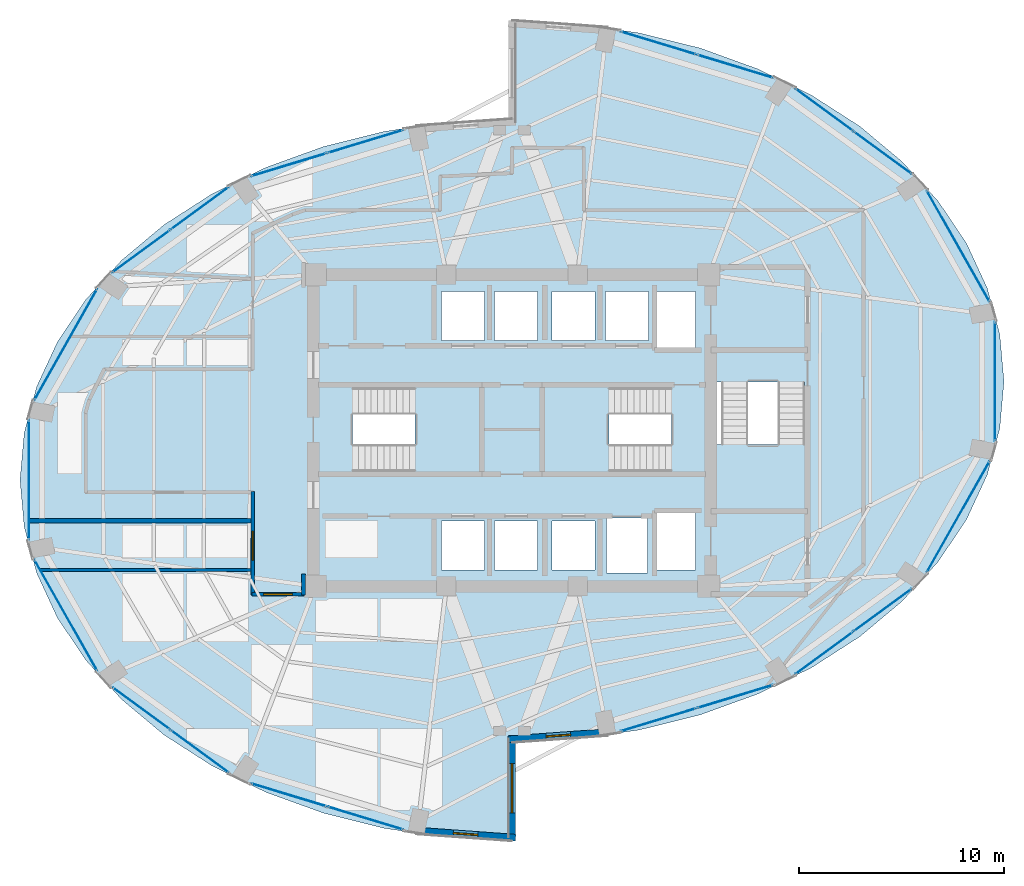
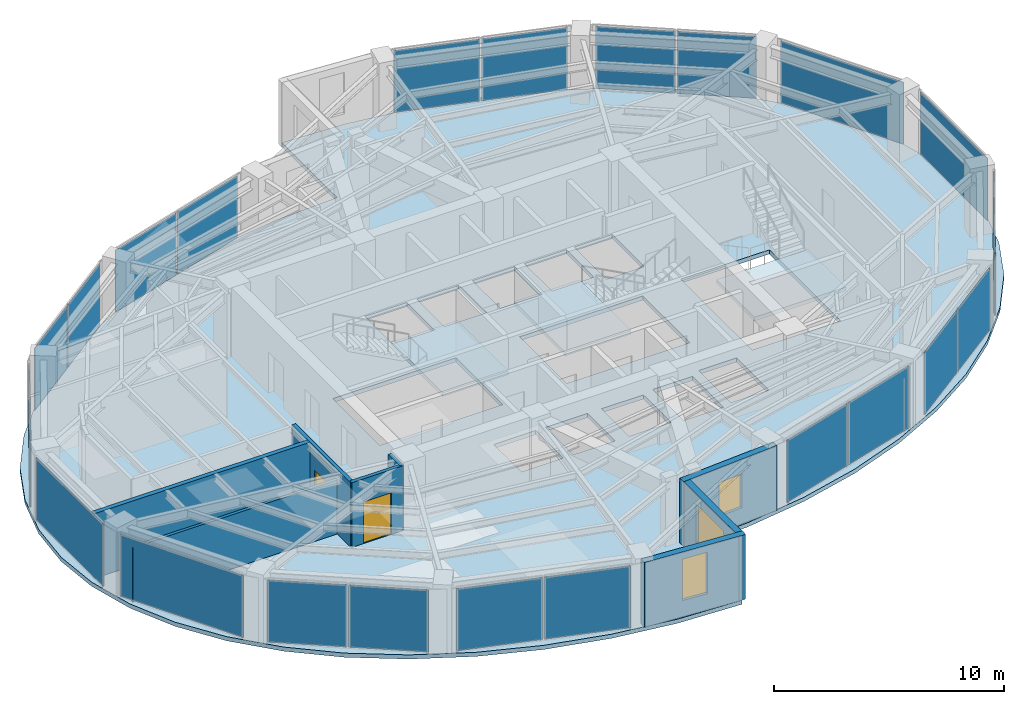
# One storey, part 15 of 20: 22 plates, 8 walls, 4 slabs, 3 windows, 2 doors, 5 openings, 17 elements without a shape of their own.
"""IFC4 building model written with IfcOpenShell, lengths in metres."""

from ifc_helpers import new_model, si_unit, direction, frame, frame_2d, origin, origin_2d, place, context, subcontext, project, spatial, polyline, rectangle, outline, extrude, material, layer, layer_set, type_object, element, fill, aggregate, save


model = new_model("IFC4")

# Units and contexts
model_context = context("Model", 3, precision=1e-05, world=origin(), true_north=direction((0.0, 1.0)))
body_context = subcontext(model_context, "Body", "Model", "MODEL_VIEW")
ifc_project = project(units=[si_unit("LENGTHUNIT", "METRE"), si_unit("AREAUNIT", "SQUARE_METRE"), si_unit("VOLUMEUNIT", "CUBIC_METRE"), si_unit("PLANEANGLEUNIT", "RADIAN"), si_unit("MASSUNIT", "GRAM", prefix="KILO")], contexts=[model_context])

# Site, building, storey
site_placement = place(None, origin())
site = spatial("IfcSite", under=ifc_project, at=site_placement, CompositionType="ELEMENT")
building_placement = place(site_placement, origin())
building = spatial("IfcBuilding", under=site, at=building_placement, Name="Lazwardi Medical Tower", CompositionType="ELEMENT")
storey_placement = place(building_placement, frame((0.0, 0.0, 178.416015625)))
storey = spatial("IfcBuildingStorey", under=building, at=storey_placement, Name="L46", CompositionType="ELEMENT", Elevation=178.416015625)

# Curtain wall, plates
ifc_material_1 = material(Name="Anodised bronze aluminium and solar control glazing", Category="aluminium")
ifc_layer_1 = layer(ifc_material_1, 0.195068359375)
ifc_layer_set_1 = layer_set([ifc_layer_1], Name="Anodised bronze aluminium and solar control glazing")
curtain_wall_type = type_object("IfcCurtainWallType", Name="CW-SYS-03", PredefinedType="NOTDEFINED", material=ifc_layer_set_1)
curtain_wall_1_placement = place(storey_placement, origin())
curtain_wall_1 = element("IfcCurtainWall", 1, at=curtain_wall_1_placement, inside=storey, type_object=curtain_wall_type, Name="L46 Unitised bronze curtain wall CW-03", PredefinedType="NOTDEFINED")
ifc_material_2 = material(Name="Low-e bronze solar control double glazing", Category="glass")
ifc_layer_2 = layer(ifc_material_2, 0.035888671875)
ifc_layer_set_2 = layer_set([ifc_layer_2], Name="Low-e bronze solar control double glazing")
plate_type = type_object("IfcPlateType", Name="PLT-GLZ-01", PredefinedType="CURTAIN_PANEL", material=ifc_layer_set_2)
plate_1_placement = place(storey_placement, frame((43.1435546875, 13.8935546875, 0.07470703125), z_axis=(0.0, 0.0, 1.0), x_axis=(0.956941516292, 0.290280785441, 0.0)))
plate_1 = element("IfcPlate", 2, at=plate_1_placement, type_object=plate_type, Name="CW-03 panel 1.1", PredefinedType="CURTAIN_PANEL", context=body_context, shape_type="SweptSolid", body=[
    extrude(rectangle(XDim=3.83642578125, YDim=0.035888671875, at=origin_2d()), origin(), (0.0, 0.0, 1.0), 3.278076171875),
])
plate_2_placement = place(storey_placement, frame((46.88671875, 15.029052734375, 0.07470703125), z_axis=(0.0, 0.0, 1.0), x_axis=(0.956941516292, 0.290280785441, 0.0)))
plate_2 = element("IfcPlate", 3, at=plate_2_placement, type_object=plate_type, Name="CW-03 panel 2.1", PredefinedType="CURTAIN_PANEL", context=body_context, shape_type="SweptSolid", body=[
    extrude(rectangle(XDim=3.83642578125, YDim=0.035888671875, at=origin_2d()), origin(), (0.0, 0.0, 1.0), 3.278076171875),
])
aggregate(curtain_wall_1, [plate_1, plate_2])

curtain_wall_2_placement = place(storey_placement, origin())
curtain_wall_2 = element("IfcCurtainWall", 4, at=curtain_wall_2_placement, inside=storey, type_object=curtain_wall_type, Name="L46 Unitised bronze curtain wall CW-03", PredefinedType="NOTDEFINED")
plate_3_placement = place(storey_placement, frame((51.2265625, 17.153076171875, 0.07470703125), z_axis=(0.0, 0.0, 1.0), x_axis=(0.806793249082, 0.590833862635, 0.0)))
plate_3 = element("IfcPlate", 5, at=plate_3_placement, type_object=plate_type, Name="CW-03 panel 1.1", PredefinedType="CURTAIN_PANEL", context=body_context, shape_type="SweptSolid", body=[
    extrude(rectangle(XDim=3.472412109375, YDim=0.035888671875, at=origin_2d()), origin(), (0.0, 0.0, 1.0), 3.278076171875),
])
plate_4_placement = place(storey_placement, frame((54.088623046875, 19.2490234375, 0.07470703125), z_axis=(0.0, 0.0, 1.0), x_axis=(0.806793249082, 0.590833862635, 0.0)))
plate_4 = element("IfcPlate", 6, at=plate_4_placement, type_object=plate_type, Name="CW-03 panel 2.1", PredefinedType="CURTAIN_PANEL", context=body_context, shape_type="SweptSolid", body=[
    extrude(rectangle(XDim=3.472412109375, YDim=0.035888671875, at=origin_2d()), origin(), (0.0, 0.0, 1.0), 3.278076171875),
])
aggregate(curtain_wall_2, [plate_3, plate_4])

# Curtain wall, plate
curtain_wall_3_placement = place(storey_placement, origin())
curtain_wall_3 = element("IfcCurtainWall", 7, at=curtain_wall_3_placement, inside=storey, type_object=curtain_wall_type, Name="L46 Unitised bronze curtain wall CW-03", PredefinedType="NOTDEFINED")
plate_5_placement = place(storey_placement, frame((57.764404296875, 23.798095703125, 0.07470703125), z_axis=(0.0, 0.0, 1.0), x_axis=(0.492311672683, 0.870418989303, 0.0)))
plate_5 = element("IfcPlate", 8, at=plate_5_placement, type_object=plate_type, Name="CW-03 panel 1.1", PredefinedType="CURTAIN_PANEL", context=body_context, shape_type="SweptSolid", body=[
    extrude(rectangle(XDim=6.208740234375, YDim=0.035888671875, at=origin_2d()), origin(), (0.0, 0.0, 1.0), 3.278076171875),
])
aggregate(curtain_wall_3, [plate_5])

curtain_wall_4_placement = place(storey_placement, origin())
curtain_wall_4 = element("IfcCurtainWall", 9, at=curtain_wall_4_placement, inside=storey, type_object=curtain_wall_type, Name="L46 Unitised bronze curtain wall CW-03", PredefinedType="NOTDEFINED")
plate_6_placement = place(storey_placement, frame((59.5576171875, 30.39990234375, 0.07470703125), z_axis=(0.0, 0.0, 1.0), x_axis=(0.0, 1.0, 0.0)))
plate_6 = element("IfcPlate", 10, at=plate_6_placement, type_object=plate_type, Name="CW-03 panel 1.1", PredefinedType="CURTAIN_PANEL", context=body_context, shape_type="SweptSolid", body=[
    extrude(rectangle(XDim=5.8408203125, YDim=0.035888671875, at=origin_2d()), origin(), (0.0, 0.0, 1.0), 3.278076171875),
])
aggregate(curtain_wall_4, [plate_6])

curtain_wall_5_placement = place(storey_placement, origin())
curtain_wall_5 = element("IfcCurtainWall", 11, at=curtain_wall_5_placement, inside=storey, type_object=curtain_wall_type, Name="L46 Unitised bronze curtain wall CW-03", PredefinedType="NOTDEFINED")
plate_7_placement = place(storey_placement, frame((57.764404296875, 37.001953125, 0.07470703125), z_axis=(0.0, 0.0, 1.0), x_axis=(-0.492311672683, 0.870418989303, 0.0)))
plate_7 = element("IfcPlate", 12, at=plate_7_placement, type_object=plate_type, Name="CW-03 panel 1.1", PredefinedType="CURTAIN_PANEL", context=body_context, shape_type="SweptSolid", body=[
    extrude(rectangle(XDim=6.208740234375, YDim=0.035888671875, at=origin_2d()), origin(), (0.0, 0.0, 1.0), 3.278076171875),
])
aggregate(curtain_wall_5, [plate_7])

# Curtain wall, plates
curtain_wall_6_placement = place(storey_placement, origin())
curtain_wall_6 = element("IfcCurtainWall", 13, at=curtain_wall_6_placement, inside=storey, type_object=curtain_wall_type, Name="L46 Unitised bronze curtain wall CW-03", PredefinedType="NOTDEFINED")
plate_8_placement = place(storey_placement, frame((54.088623046875, 41.551025390625, 0.07470703125), z_axis=(0.0, 0.0, 1.0), x_axis=(-0.806793249082, 0.590833862635, 0.0)))
plate_8 = element("IfcPlate", 14, at=plate_8_placement, type_object=plate_type, Name="CW-03 panel 1.1", PredefinedType="CURTAIN_PANEL", context=body_context, shape_type="SweptSolid", body=[
    extrude(rectangle(XDim=3.472412109375, YDim=0.035888671875, at=origin_2d()), origin(), (0.0, 0.0, 1.0), 3.278076171875),
])
plate_9_placement = place(storey_placement, frame((51.2265625, 43.64697265625, 0.07470703125), z_axis=(0.0, 0.0, 1.0), x_axis=(-0.806793249082, 0.590833862635, 0.0)))
plate_9 = element("IfcPlate", 15, at=plate_9_placement, type_object=plate_type, Name="CW-03 panel 2.1", PredefinedType="CURTAIN_PANEL", context=body_context, shape_type="SweptSolid", body=[
    extrude(rectangle(XDim=3.472412109375, YDim=0.035888671875, at=origin_2d()), origin(), (0.0, 0.0, 1.0), 3.278076171875),
])
aggregate(curtain_wall_6, [plate_8, plate_9])

curtain_wall_7_placement = place(storey_placement, origin())
curtain_wall_7 = element("IfcCurtainWall", 16, at=curtain_wall_7_placement, inside=storey, type_object=curtain_wall_type, Name="L46 Unitised bronze curtain wall CW-03", PredefinedType="NOTDEFINED")
plate_10_placement = place(storey_placement, frame((46.88671875, 45.77099609375, 0.07470703125), z_axis=(0.0, 0.0, 1.0), x_axis=(-0.956941516292, 0.290280785441, 0.0)))
plate_10 = element("IfcPlate", 17, at=plate_10_placement, type_object=plate_type, Name="CW-03 panel 1.1", PredefinedType="CURTAIN_PANEL", context=body_context, shape_type="SweptSolid", body=[
    extrude(rectangle(XDim=3.83642578125, YDim=0.035888671875, at=origin_2d()), origin(), (0.0, 0.0, 1.0), 3.278076171875),
])
plate_11_placement = place(storey_placement, frame((43.1435546875, 46.906494140625, 0.07470703125), z_axis=(0.0, 0.0, 1.0), x_axis=(-0.956941516292, 0.290280785441, 0.0)))
plate_11 = element("IfcPlate", 18, at=plate_11_placement, type_object=plate_type, Name="CW-03 panel 2.1", PredefinedType="CURTAIN_PANEL", context=body_context, shape_type="SweptSolid", body=[
    extrude(rectangle(XDim=3.83642578125, YDim=0.035888671875, at=origin_2d()), origin(), (0.0, 0.0, 1.0), 3.278076171875),
])
aggregate(curtain_wall_7, [plate_10, plate_11])

curtain_wall_8_placement = place(storey_placement, origin())
curtain_wall_8 = element("IfcCurtainWall", 19, at=curtain_wall_8_placement, inside=storey, type_object=curtain_wall_type, Name="L46 Unitised bronze curtain wall CW-03", PredefinedType="NOTDEFINED")
plate_12_placement = place(storey_placement, frame((28.8564453125, 42.1064453125, 0.07470703125), z_axis=(0.0, 0.0, 1.0), x_axis=(-0.956941516292, -0.290280785441, 0.0)))
plate_12 = element("IfcPlate", 20, at=plate_12_placement, type_object=plate_type, Name="CW-03 panel 1.1", PredefinedType="CURTAIN_PANEL", context=body_context, shape_type="SweptSolid", body=[
    extrude(rectangle(XDim=3.83642578125, YDim=0.035888671875, at=origin_2d()), origin(), (0.0, 0.0, 1.0), 3.278076171875),
])
plate_13_placement = place(storey_placement, frame((25.11328125, 40.970947265625, 0.07470703125), z_axis=(0.0, 0.0, 1.0), x_axis=(-0.956941516292, -0.290280785441, 0.0)))
plate_13 = element("IfcPlate", 21, at=plate_13_placement, type_object=plate_type, Name="CW-03 panel 2.1", PredefinedType="CURTAIN_PANEL", context=body_context, shape_type="SweptSolid", body=[
    extrude(rectangle(XDim=3.83642578125, YDim=0.035888671875, at=origin_2d()), origin(), (0.0, 0.0, 1.0), 3.278076171875),
])
aggregate(curtain_wall_8, [plate_12, plate_13])

curtain_wall_9_placement = place(storey_placement, origin())
curtain_wall_9 = element("IfcCurtainWall", 22, at=curtain_wall_9_placement, inside=storey, type_object=curtain_wall_type, Name="L46 Unitised bronze curtain wall CW-03", PredefinedType="NOTDEFINED")
plate_14_placement = place(storey_placement, frame((20.7734375, 38.846923828125, 0.07470703125), z_axis=(0.0, 0.0, 1.0), x_axis=(-0.806793249082, -0.590833862635, 0.0)))
plate_14 = element("IfcPlate", 23, at=plate_14_placement, type_object=plate_type, Name="CW-03 panel 1.1", PredefinedType="CURTAIN_PANEL", context=body_context, shape_type="SweptSolid", body=[
    extrude(rectangle(XDim=3.472412109375, YDim=0.035888671875, at=origin_2d()), origin(), (0.0, 0.0, 1.0), 3.278076171875),
])
plate_15_placement = place(storey_placement, frame((17.911376953125, 36.7509765625, 0.07470703125), z_axis=(0.0, 0.0, 1.0), x_axis=(-0.806793249082, -0.590833862635, 0.0)))
plate_15 = element("IfcPlate", 24, at=plate_15_placement, type_object=plate_type, Name="CW-03 panel 2.1", PredefinedType="CURTAIN_PANEL", context=body_context, shape_type="SweptSolid", body=[
    extrude(rectangle(XDim=3.472412109375, YDim=0.035888671875, at=origin_2d()), origin(), (0.0, 0.0, 1.0), 3.278076171875),
])
aggregate(curtain_wall_9, [plate_14, plate_15])

# Curtain wall, plate
curtain_wall_10_placement = place(storey_placement, origin())
curtain_wall_10 = element("IfcCurtainWall", 25, at=curtain_wall_10_placement, inside=storey, type_object=curtain_wall_type, Name="L46 Unitised bronze curtain wall CW-03", PredefinedType="NOTDEFINED")
plate_16_placement = place(storey_placement, frame((14.235595703125, 32.201904296875, 0.07470703125), z_axis=(0.0, 0.0, 1.0), x_axis=(-0.492311672683, -0.870418989303, 0.0)))
plate_16 = element("IfcPlate", 26, at=plate_16_placement, type_object=plate_type, Name="CW-03 panel 1.1", PredefinedType="CURTAIN_PANEL", context=body_context, shape_type="SweptSolid", body=[
    extrude(rectangle(XDim=6.208740234375, YDim=0.035888671875, at=origin_2d()), origin(), (0.0, 0.0, 1.0), 3.278076171875),
])
aggregate(curtain_wall_10, [plate_16])

curtain_wall_11_placement = place(storey_placement, origin())
curtain_wall_11 = element("IfcCurtainWall", 27, at=curtain_wall_11_placement, inside=storey, type_object=curtain_wall_type, Name="L46 Unitised bronze curtain wall CW-03", PredefinedType="NOTDEFINED")
plate_17_placement = place(storey_placement, frame((12.4423828125, 25.60009765625, 0.07470703125), z_axis=(0.0, 0.0, 1.0), x_axis=(0.0, -1.0, 0.0)))
plate_17 = element("IfcPlate", 28, at=plate_17_placement, type_object=plate_type, Name="CW-03 panel 1.1", PredefinedType="CURTAIN_PANEL", context=body_context, shape_type="SweptSolid", body=[
    extrude(rectangle(XDim=5.8408203125, YDim=0.035888671875, at=origin_2d()), origin(), (0.0, 0.0, 1.0), 3.278076171875),
])
aggregate(curtain_wall_11, [plate_17])

curtain_wall_12_placement = place(storey_placement, origin())
curtain_wall_12 = element("IfcCurtainWall", 29, at=curtain_wall_12_placement, inside=storey, type_object=curtain_wall_type, Name="L46 Unitised bronze curtain wall CW-03", PredefinedType="NOTDEFINED")
plate_18_placement = place(storey_placement, frame((14.235595703125, 18.998046875, 0.07470703125), z_axis=(0.0, 0.0, 1.0), x_axis=(0.492311672683, -0.870418989303, 0.0)))
plate_18 = element("IfcPlate", 30, at=plate_18_placement, type_object=plate_type, Name="CW-03 panel 1.1", PredefinedType="CURTAIN_PANEL", context=body_context, shape_type="SweptSolid", body=[
    extrude(rectangle(XDim=6.208740234375, YDim=0.035888671875, at=origin_2d()), origin(), (0.0, 0.0, 1.0), 3.278076171875),
])
aggregate(curtain_wall_12, [plate_18])

# Curtain wall, plates
curtain_wall_13_placement = place(storey_placement, origin())
curtain_wall_13 = element("IfcCurtainWall", 31, at=curtain_wall_13_placement, inside=storey, type_object=curtain_wall_type, Name="L46 Unitised bronze curtain wall CW-03", PredefinedType="NOTDEFINED")
plate_19_placement = place(storey_placement, frame((17.911376953125, 14.448974609375, 0.07470703125), z_axis=(0.0, 0.0, 1.0), x_axis=(0.806793249082, -0.590833862635, 0.0)))
plate_19 = element("IfcPlate", 32, at=plate_19_placement, type_object=plate_type, Name="CW-03 panel 1.1", PredefinedType="CURTAIN_PANEL", context=body_context, shape_type="SweptSolid", body=[
    extrude(rectangle(XDim=3.472412109375, YDim=0.035888671875, at=origin_2d()), origin(), (0.0, 0.0, 1.0), 3.278076171875),
])
plate_20_placement = place(storey_placement, frame((20.7734375, 12.35302734375, 0.07470703125), z_axis=(0.0, 0.0, 1.0), x_axis=(0.806793249082, -0.590833862635, 0.0)))
plate_20 = element("IfcPlate", 33, at=plate_20_placement, type_object=plate_type, Name="CW-03 panel 2.1", PredefinedType="CURTAIN_PANEL", context=body_context, shape_type="SweptSolid", body=[
    extrude(rectangle(XDim=3.472412109375, YDim=0.035888671875, at=origin_2d()), origin(), (0.0, 0.0, 1.0), 3.278076171875),
])
aggregate(curtain_wall_13, [plate_19, plate_20])

curtain_wall_14_placement = place(storey_placement, origin())
curtain_wall_14 = element("IfcCurtainWall", 34, at=curtain_wall_14_placement, inside=storey, type_object=curtain_wall_type, Name="L46 Unitised bronze curtain wall CW-03", PredefinedType="NOTDEFINED")
plate_21_placement = place(storey_placement, frame((25.11328125, 10.22900390625, 0.07470703125), z_axis=(0.0, 0.0, 1.0), x_axis=(0.956941516292, -0.290280785441, 0.0)))
plate_21 = element("IfcPlate", 35, at=plate_21_placement, type_object=plate_type, Name="CW-03 panel 1.1", PredefinedType="CURTAIN_PANEL", context=body_context, shape_type="SweptSolid", body=[
    extrude(rectangle(XDim=3.83642578125, YDim=0.035888671875, at=origin_2d()), origin(), (0.0, 0.0, 1.0), 3.278076171875),
])
plate_22_placement = place(storey_placement, frame((28.8564453125, 9.093505859375, 0.07470703125), z_axis=(0.0, 0.0, 1.0), x_axis=(0.956941516292, -0.290280785441, 0.0)))
plate_22 = element("IfcPlate", 36, at=plate_22_placement, type_object=plate_type, Name="CW-03 panel 2.1", PredefinedType="CURTAIN_PANEL", context=body_context, shape_type="SweptSolid", body=[
    extrude(rectangle(XDim=3.83642578125, YDim=0.035888671875, at=origin_2d()), origin(), (0.0, 0.0, 1.0), 3.278076171875),
])
aggregate(curtain_wall_14, [plate_21, plate_22])

# Stair, slab
ifc_material_3 = material(Name="Concrete C45/55", Category="concrete")
stair_type = type_object("IfcStairType", Name="STR-WRD", PredefinedType="HALF_TURN_STAIR", material=ifc_material_3)
stair_1_placement = place(storey_placement, origin())
stair_1 = element("IfcStair", 37, at=stair_1_placement, inside=storey, type_object=stair_type, Name="L46 Protected Exit Stair ST1", PredefinedType="HALF_TURN_STAIR")
ifc_layer_3 = layer(ifc_material_3, 0.199951171875)
ifc_layer_set_3 = layer_set([ifc_layer_3], Name="Concrete C45/55")
slab_type_1 = type_object("IfcSlabType", Name="SLB-LND-190", PredefinedType="LANDING", material=ifc_layer_set_3)
slab_1_placement = place(storey_placement, frame((0.0, 0.0, 1.6240234375)))
slab_1 = element("IfcSlab", 38, at=slab_1_placement, type_object=slab_type_1, Name="ST1 landing 1", PredefinedType="LANDING", context=body_context, shape_type="SweptSolid", body=[
    extrude(outline(polyline([(31.27490234375, 25.840087890625), (34.580078125, 25.840087890625), (34.580078125, 30.280029296875), (31.27490234375, 30.280029296875), (31.27490234375, 25.840087890625)])), origin(), (0.0, 0.0, 1.0), 0.199951171875),
])
aggregate(stair_1, [slab_1])

stair_2_placement = place(storey_placement, origin())
stair_2 = element("IfcStair", 39, at=stair_2_placement, inside=storey, type_object=stair_type, Name="L46 Protected Exit Stair ST2", PredefinedType="HALF_TURN_STAIR")
slab_2_placement = place(storey_placement, frame((0.0, 0.0, 1.6240234375)))
slab_2 = element("IfcSlab", 40, at=slab_2_placement, type_object=slab_type_1, Name="ST2 landing 1", PredefinedType="LANDING", context=body_context, shape_type="SweptSolid", body=[
    extrude(outline(polyline([(40.72509765625, 30.280029296875), (37.419921875, 30.280029296875), (37.419921875, 25.840087890625), (40.72509765625, 25.840087890625), (40.72509765625, 30.280029296875)])), origin(), (0.0, 0.0, 1.0), 0.199951171875),
])
aggregate(stair_2, [slab_2])

stair_3_placement = place(storey_placement, origin())
stair_3 = element("IfcStair", 41, at=stair_3_placement, inside=storey, type_object=stair_type, Name="L46 Protected Exit Stair ST3", PredefinedType="HALF_TURN_STAIR")
slab_3_placement = place(storey_placement, frame((0.0, 0.0, 1.6240234375)))
slab_3 = element("IfcSlab", 42, at=slab_3_placement, type_object=slab_type_1, Name="ST3 landing 1", PredefinedType="LANDING", context=body_context, shape_type="SweptSolid", body=[
    extrude(outline(polyline([(45.860107421875, 27.324951171875), (45.860107421875, 24.02001953125), (50.4599609375, 24.02001953125), (50.4599609375, 27.324951171875), (45.860107421875, 27.324951171875)])), origin(), (0.0, 0.0, 1.0), 0.199951171875),
])
aggregate(stair_3, [slab_3])

# Slab
ifc_material_4 = material(Name="Concrete C50/60", Category="concrete")
ifc_layer_4 = layer(ifc_material_4, 0.219970703125)
ifc_layer_set_4 = layer_set([ifc_layer_4], Name="Concrete C50/60")
slab_type_2 = type_object("IfcSlabType", Name="SLB-WRD-220", PredefinedType="FLOOR", material=ifc_layer_set_4)
slab_4_placement = place(storey_placement, frame((0.0, 0.0, -0.219970703125)))
element("IfcSlab", 43, at=slab_4_placement, inside=storey, type_object=slab_type_2, Name="Structural floor slab SF-03 L46", PredefinedType="FLOOR", context=body_context, shape_type="SweptSolid", body=[
    extrude(outline(polyline([(12.205322265625, 23.302734375), (12.81787109375, 21.044921875), (13.826904296875, 18.86474609375), (15.21533203125, 16.800048828125), (16.95947265625, 14.8857421875), (19.029296875, 13.15478515625), (21.3896484375, 11.636962890625), (24.0, 10.35791015625), (26.815673828125, 9.339599609375), (29.788330078125, 8.599609375), (32.867431640625, 8.150634765625), (36.0, 8.0), (36.0, 12.800048828125), (39.132568359375, 12.95068359375), (42.211669921875, 13.399658203125), (45.184326171875, 14.1396484375), (48.0, 15.157958984375), (50.6103515625, 16.43701171875), (52.970703125, 17.954833984375), (55.04052734375, 19.685791015625), (56.78466796875, 21.60009765625), (58.173095703125, 23.664794921875), (59.18212890625, 25.8447265625), (59.794677734375, 28.102783203125), (60.0, 30.39990234375), (59.794677734375, 32.697265625), (59.18212890625, 34.955078125), (58.173095703125, 37.13525390625), (56.78466796875, 39.199951171875), (55.04052734375, 41.1142578125), (52.970703125, 42.84521484375), (50.6103515625, 44.363037109375), (48.0, 45.64208984375), (45.184326171875, 46.660400390625), (42.211669921875, 47.400390625), (39.132568359375, 47.849365234375), (36.0, 48.0), (36.0, 43.199951171875), (32.867431640625, 43.04931640625), (29.788330078125, 42.600341796875), (26.815673828125, 41.8603515625), (24.0, 40.842041015625), (21.3896484375, 39.56298828125), (19.029296875, 38.045166015625), (16.95947265625, 36.314208984375), (15.21533203125, 34.39990234375), (13.826904296875, 32.335205078125), (12.81787109375, 30.1552734375), (12.205322265625, 27.897216796875), (12.0, 25.60009765625), (12.205322265625, 23.302734375)]), holes=[polyline([(28.22509765625, 26.02001953125), (28.22509765625, 30.10009765625), (34.39990234375, 30.10009765625), (34.39990234375, 26.02001953125), (28.22509765625, 26.02001953125)]), polyline([(37.60009765625, 30.10009765625), (43.77490234375, 30.10009765625), (43.77490234375, 26.02001953125), (37.60009765625, 26.02001953125), (37.60009765625, 30.10009765625)]), polyline([(50.280029296875, 30.375), (50.280029296875, 24.179931640625), (45.840087890625, 24.179931640625), (45.840087890625, 30.375), (50.280029296875, 30.375)]), polyline([(34.64990234375, 32.39990234375), (32.550048828125, 32.39990234375), (32.550048828125, 34.800048828125), (34.64990234375, 34.800048828125), (34.64990234375, 32.39990234375)]), polyline([(35.14990234375, 32.39990234375), (35.14990234375, 34.800048828125), (37.25, 34.800048828125), (37.25, 32.39990234375), (35.14990234375, 32.39990234375)]), polyline([(32.550048828125, 23.60009765625), (34.64990234375, 23.60009765625), (34.64990234375, 21.199951171875), (32.550048828125, 21.199951171875), (32.550048828125, 23.60009765625)]), polyline([(37.25, 23.60009765625), (37.25, 21.199951171875), (35.14990234375, 21.199951171875), (35.14990234375, 23.60009765625), (37.25, 23.60009765625)]), polyline([(40.050048828125, 32.39990234375), (37.949951171875, 32.39990234375), (37.949951171875, 34.800048828125), (40.050048828125, 34.800048828125), (40.050048828125, 32.39990234375)]), polyline([(40.550048828125, 32.39990234375), (40.550048828125, 34.800048828125), (42.64990234375, 34.800048828125), (42.64990234375, 32.39990234375), (40.550048828125, 32.39990234375)]), polyline([(37.949951171875, 23.60009765625), (40.050048828125, 23.60009765625), (40.050048828125, 21.199951171875), (37.949951171875, 21.199951171875), (37.949951171875, 23.60009765625)]), polyline([(44.949951171875, 34.800048828125), (44.949951171875, 32.0), (43.050048828125, 32.0), (43.050048828125, 34.800048828125), (44.949951171875, 34.800048828125)]), polyline([(44.949951171875, 21.199951171875), (43.050048828125, 21.199951171875), (43.050048828125, 24.0), (44.949951171875, 24.0), (44.949951171875, 21.199951171875)]), polyline([(40.60009765625, 21.050048828125), (40.60009765625, 23.75), (42.60009765625, 23.75), (42.60009765625, 21.050048828125), (40.60009765625, 21.050048828125)])]), origin(), (0.0, 0.0, 1.0), 0.219970703125),
])

# Wall
ifc_material_5 = material(Name="Fire-rated gypsum board on steel stud", Category="steel")
ifc_layer_5 = layer(ifc_material_5, 0.179931640625)
ifc_layer_set_5 = layer_set([ifc_layer_5], Name="Fire-rated gypsum board on steel stud")
wall_type_1 = type_object("IfcWallType", Name="WL-COR-180", PredefinedType="PARTITIONING", material=ifc_layer_set_5)
wall_1_placement = place(storey_placement, frame((25.830078125, 21.010009765625, 0.0), z_axis=(0.0, 0.0, 1.0), x_axis=(0.0, -1.0, 0.0)))
element("IfcWall", 44, at=wall_1_placement, inside=storey, type_object=wall_type_1, Name="L46 Corridor partition 16", PredefinedType="PARTITIONING", context=body_context, shape_type="SweptSolid", body=[
    extrude(rectangle(XDim=1.030029296875, YDim=0.179931640625, at=frame_2d((0.51513671875, 0.0))), origin(), (0.0, 0.0, 1.0), 3.427978515625),
])

# Wall, opening, door
wall_2_placement = place(storey_placement, frame((25.8701171875, 20.02001953125, 0.0), z_axis=(0.0, 0.0, 1.0), x_axis=(-1.0, 0.0, 0.0)))
wall_2 = element("IfcWall", 45, at=wall_2_placement, inside=storey, type_object=wall_type_1, Name="L46 Corridor partition 17", PredefinedType="PARTITIONING", context=body_context, shape_type="SweptSolid", body=[
    extrude(rectangle(XDim=2.56005859375, YDim=0.179931640625, at=frame_2d((1.280029296875, 0.0))), origin(), (0.0, 0.0, 1.0), 3.427978515625),
])
opening_1_placement = place(wall_2_placement, frame((0.580078125, 0.0, 0.0)))
opening_1 = element("IfcOpeningElement", 46, at=opening_1_placement, cuts=wall_2, Name="Opening D-L46-011", PredefinedType="OPENING", context=body_context, shape_type="SweptSolid", body=[
    extrude(rectangle(XDim=1.39990234375, YDim=2.199951171875, at=frame_2d((0.699951171875, 1.10009765625))), frame((0.0, 0.099853515625, 0.0), z_axis=(0.0, -1.0, 0.0), x_axis=(1.0, 0.0, 0.0)), (0.0, 0.0, 1.0), 0.199951171875),
])
ifc_material_6 = material(Name="Anti-microbial laminate hospital leaf")
door_type = type_object("IfcDoorType", Name="DR-BED-1400", OperationType="NOTDEFINED", PredefinedType="DOOR", material=ifc_material_6)
door_1_placement = place(opening_1_placement, origin())
door_1 = element("IfcDoor", 47, at=door_1_placement, inside=storey, type_object=door_type, Name="L46 Department Reception Foyer Door 02", OperationType="SINGLE_SWING_LEFT", OverallHeight=2.199951171875, OverallWidth=1.39990234375, PredefinedType="DOOR", context=body_context, shape_type="SweptSolid", body=[
    extrude(rectangle(XDim=1.39990234375, YDim=2.199951171875, at=frame_2d((0.699951171875, 1.10009765625))), frame((0.0, 0.02490234375, 0.0), z_axis=(0.0, -1.0, 0.0), x_axis=(1.0, 0.0, 0.0)), (0.0, 0.0, 1.0), 0.050048828125),
])
fill(opening_1, door_1)

wall_3_placement = place(storey_placement, frame((23.35009765625, 19.97998046875, 0.0), z_axis=(0.0, 0.0, 1.0), x_axis=(0.0, 1.0, 0.0)))
wall_3 = element("IfcWall", 48, at=wall_3_placement, inside=storey, type_object=wall_type_1, Name="L46 Corridor partition 18", PredefinedType="PARTITIONING", context=body_context, shape_type="SweptSolid", body=[
    extrude(rectangle(XDim=5.06005859375, YDim=0.179931640625, at=frame_2d((2.530029296875, 0.0))), origin(), (0.0, 0.0, 1.0), 3.427978515625),
])
opening_2_placement = place(wall_3_placement, frame((1.702392578125, 0.0, 0.0)))
opening_2 = element("IfcOpeningElement", 49, at=opening_2_placement, cuts=wall_3, Name="Opening D-L46-010", PredefinedType="OPENING", context=body_context, shape_type="SweptSolid", body=[
    extrude(rectangle(XDim=1.39990234375, YDim=2.199951171875, at=frame_2d((0.699951171875, 1.10009765625))), frame((0.0, 0.099853515625, 0.0), z_axis=(0.0, -1.0, 0.0), x_axis=(1.0, 0.0, 0.0)), (0.0, 0.0, 1.0), 0.199951171875),
])
door_2_placement = place(opening_2_placement, origin())
door_2 = element("IfcDoor", 50, at=door_2_placement, inside=storey, type_object=door_type, Name="L46 Rehabilitation Gymnasium Door 01", OperationType="SINGLE_SWING_RIGHT", OverallHeight=2.199951171875, OverallWidth=1.39990234375, PredefinedType="DOOR", context=body_context, shape_type="SweptSolid", body=[
    extrude(rectangle(XDim=1.39990234375, YDim=2.199951171875, at=frame_2d((0.699951171875, 1.10009765625))), frame((0.0, 0.02490234375, 0.0), z_axis=(0.0, -1.0, 0.0), x_axis=(1.0, 0.0, 0.0)), (0.0, 0.0, 1.0), 0.050048828125),
])
fill(opening_2, door_2)

# Wall, opening, window
ifc_material_7 = material(Name="Precast concrete C45/55", Category="concrete")
ifc_layer_6 = layer(ifc_material_7, 0.320068359375)
ifc_layer_set_6 = layer_set([ifc_layer_6], Name="Precast concrete C45/55")
wall_type_2 = type_object("IfcWallType", Name="WL-IWAN-320", PredefinedType="SOLIDWALL", material=ifc_layer_set_6)
wall_4_placement = place(storey_placement, frame((35.820556640625, 12.947021484375, 0.0), z_axis=(0.0, 0.0, 1.0), x_axis=(0.997415460462, 0.071849838072, 0.0)))
wall_4 = element("IfcWall", 51, at=wall_4_placement, inside=storey, type_object=wall_type_2, Name="L46 Iwan Portal Return Wall SE_ret", PredefinedType="SOLIDWALL", context=body_context, shape_type="SweptSolid", body=[
    extrude(rectangle(XDim=4.89306640625, YDim=0.320068359375, at=frame_2d((2.446533203125, 0.0))), origin(), (0.0, 0.0, 1.0), 3.427978515625),
])
opening_3_placement = place(wall_4_placement, frame((1.846435546875, 0.0, 0.85009765625)))
opening_3 = element("IfcOpeningElement", 52, at=opening_3_placement, cuts=wall_4, Name="Opening WN-04", PredefinedType="OPENING", context=body_context, shape_type="SweptSolid", body=[
    extrude(rectangle(XDim=1.199951171875, YDim=1.800048828125, at=frame_2d((0.60009765625, 0.89990234375))), frame((0.0, 0.169921875, 0.0), z_axis=(0.0, -1.0, 0.0), x_axis=(1.0, 0.0, 0.0)), (0.0, 0.0, 1.0), 0.340087890625),
])
window_type_1 = type_object("IfcWindowType", Name="WIN-DRUM-1200", PartitioningType="SINGLE_PANEL", PredefinedType="WINDOW", material=ifc_material_2)
window_1_placement = place(opening_3_placement, origin())
window_1 = element("IfcWindow", 53, at=window_1_placement, inside=storey, type_object=window_type_1, Name="L46 Iwan Slot Window SE_ret", OverallHeight=1.800048828125, OverallWidth=1.199951171875, PartitioningType="SINGLE_PANEL", PredefinedType="WINDOW", context=body_context, shape_type="SweptSolid", body=[
    extrude(rectangle(XDim=1.199951171875, YDim=1.800048828125, at=frame_2d((0.60009765625, 0.89990234375))), frame((0.0, 0.030029296875, 0.0), z_axis=(0.0, -1.0, 0.0), x_axis=(1.0, 0.0, 0.0)), (0.0, 0.0, 1.0), 0.06005859375),
])
fill(opening_3, window_1)

wall_5_placement = place(storey_placement, frame((31.299072265625, 8.498779296875, 0.0), z_axis=(0.0, 0.0, 1.0), x_axis=(0.997415202861, -0.071853413984, 0.0)))
wall_5 = element("IfcWall", 54, at=wall_5_placement, inside=storey, type_object=wall_type_2, Name="L46 Iwan Portal Return Wall SW_ret", PredefinedType="SOLIDWALL", context=body_context, shape_type="SweptSolid", body=[
    extrude(rectangle(XDim=4.892822265625, YDim=0.320068359375, at=frame_2d((2.4462890625, 0.0))), origin(), (0.0, 0.0, 1.0), 3.427978515625),
])
opening_4_placement = place(wall_5_placement, frame((1.84619140625, 0.0, 0.85009765625)))
opening_4 = element("IfcOpeningElement", 55, at=opening_4_placement, cuts=wall_5, Name="Opening WN-01", PredefinedType="OPENING", context=body_context, shape_type="SweptSolid", body=[
    extrude(rectangle(XDim=1.199951171875, YDim=2.199951171875, at=frame_2d((0.60009765625, 1.10009765625))), frame((0.0, 0.169921875, 0.0), z_axis=(0.0, -1.0, 0.0), x_axis=(1.0, 0.0, 0.0)), (0.0, 0.0, 1.0), 0.340087890625),
])
window_type_2 = type_object("IfcWindowType", Name="WIN-IW-1200", PartitioningType="SINGLE_PANEL", PredefinedType="WINDOW", material=ifc_material_2)
window_2_placement = place(opening_4_placement, origin())
window_2 = element("IfcWindow", 56, at=window_2_placement, inside=storey, type_object=window_type_2, Name="L46 Iwan Slot Window SW_ret", OverallHeight=2.199951171875, OverallWidth=1.199951171875, PartitioningType="SINGLE_PANEL", PredefinedType="WINDOW", context=body_context, shape_type="SweptSolid", body=[
    extrude(rectangle(XDim=1.199951171875, YDim=2.199951171875, at=frame_2d((0.60009765625, 1.10009765625))), frame((0.0, 0.030029296875, 0.0), z_axis=(0.0, -1.0, 0.0), x_axis=(1.0, 0.0, 0.0)), (0.0, 0.0, 1.0), 0.06005859375),
])
fill(opening_4, window_2)

wall_6_placement = place(storey_placement, frame((36.0, 8.0, 0.0), z_axis=(0.0, 0.0, 1.0), x_axis=(0.0, 1.0, 0.0)))
wall_6 = element("IfcWall", 57, at=wall_6_placement, inside=storey, type_object=wall_type_2, Name="L46 Turquoise Tilework Iwan Seam Wall S_seam", PredefinedType="SOLIDWALL", context=body_context, shape_type="SweptSolid", body=[
    extrude(rectangle(XDim=5.1201171875, YDim=0.320068359375, at=frame_2d((2.56005859375, 0.0))), origin(), (0.0, 0.0, 1.0), 3.427978515625),
])
opening_5_placement = place(wall_6_placement, frame((1.360107421875, 0.0, 0.840087890625)))
opening_5 = element("IfcOpeningElement", 58, at=opening_5_placement, cuts=wall_6, Name="Opening WN-02", PredefinedType="OPENING", context=body_context, shape_type="SweptSolid", body=[
    extrude(rectangle(XDim=2.39990234375, YDim=2.0400390625, at=frame_2d((1.199951171875, 1.02001953125))), frame((0.0, 0.169921875, 0.0), z_axis=(0.0, -1.0, 0.0), x_axis=(1.0, 0.0, 0.0)), (0.0, 0.0, 1.0), 0.340087890625),
])
window_type_3 = type_object("IfcWindowType", Name="WIN-IW-2400", PartitioningType="SINGLE_PANEL", PredefinedType="WINDOW", material=ifc_material_2)
window_3_placement = place(opening_5_placement, origin())
window_3 = element("IfcWindow", 59, at=window_3_placement, inside=storey, type_object=window_type_3, Name="L46 Iwan Seam Window S_seam", OverallHeight=2.0400390625, OverallWidth=2.39990234375, PartitioningType="SINGLE_PANEL", PredefinedType="WINDOW", context=body_context, shape_type="SweptSolid", body=[
    extrude(rectangle(XDim=2.39990234375, YDim=2.0400390625, at=frame_2d((1.199951171875, 1.02001953125))), frame((0.0, 0.030029296875, 0.0), z_axis=(0.0, -1.0, 0.0), x_axis=(1.0, 0.0, 0.0)), (0.0, 0.0, 1.0), 0.06005859375),
])
fill(opening_5, window_3)

# Walls
ifc_layer_7 = layer(ifc_material_5, 0.219970703125)
ifc_layer_set_7 = layer_set([ifc_layer_7], Name="Fire-rated gypsum board on steel stud")
wall_type_3 = type_object("IfcWallType", Name="WL-SMK-220", PredefinedType="PARTITIONING", material=ifc_layer_set_7)
wall_7_placement = place(storey_placement, frame((12.452880859375, 23.60009765625, 0.0), z_axis=(0.0, 0.0, 1.0), x_axis=(1.0, 0.0, 0.0)))
element("IfcWall", 60, at=wall_7_placement, inside=storey, type_object=wall_type_3, Name="L46 Room partition 2", PredefinedType="PARTITIONING", context=body_context, shape_type="SweptSolid", body=[
    extrude(rectangle(XDim=10.80712890625, YDim=0.219970703125, at=frame_2d((5.403564453125, 0.0))), origin(), (0.0, 0.0, 1.0), 3.427978515625),
])
ifc_material_8 = material(Name="Acoustic gypsum board partition")
ifc_layer_8 = layer(ifc_material_8, 0.14990234375)
ifc_layer_set_8 = layer_set([ifc_layer_8], Name="Acoustic gypsum board partition")
wall_type_4 = type_object("IfcWallType", Name="WL-WRD-150", PredefinedType="PARTITIONING", material=ifc_layer_set_8)
wall_8_placement = place(storey_placement, frame((12.99853515625, 21.199951171875, 0.0), z_axis=(0.0, 0.0, 1.0), x_axis=(1.0, 0.0, 0.0)))
element("IfcWall", 61, at=wall_8_placement, inside=storey, type_object=wall_type_4, Name="L46 Room partition 1", PredefinedType="PARTITIONING", context=body_context, shape_type="SweptSolid", body=[
    extrude(rectangle(XDim=10.261474609375, YDim=0.14990234375, at=frame_2d((5.130859375, 0.0))), origin(), (0.0, 0.0, 1.0), 2.863037109375),
])

save(model, "model.ifc")
